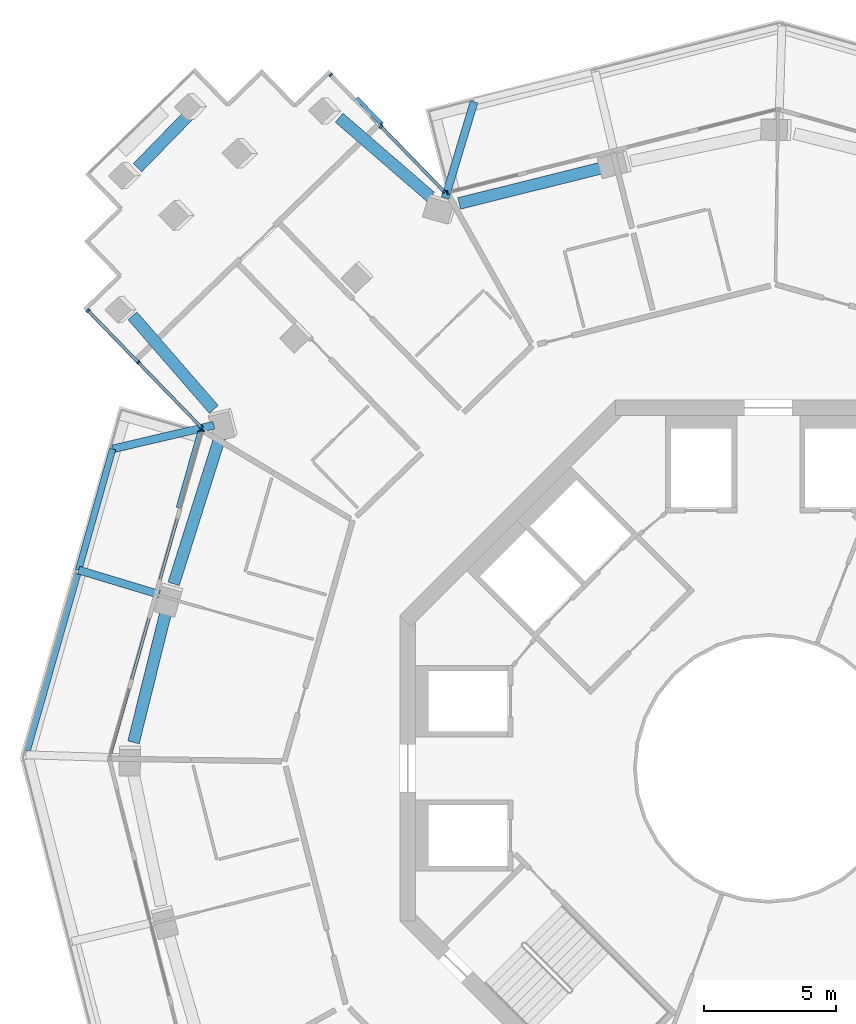
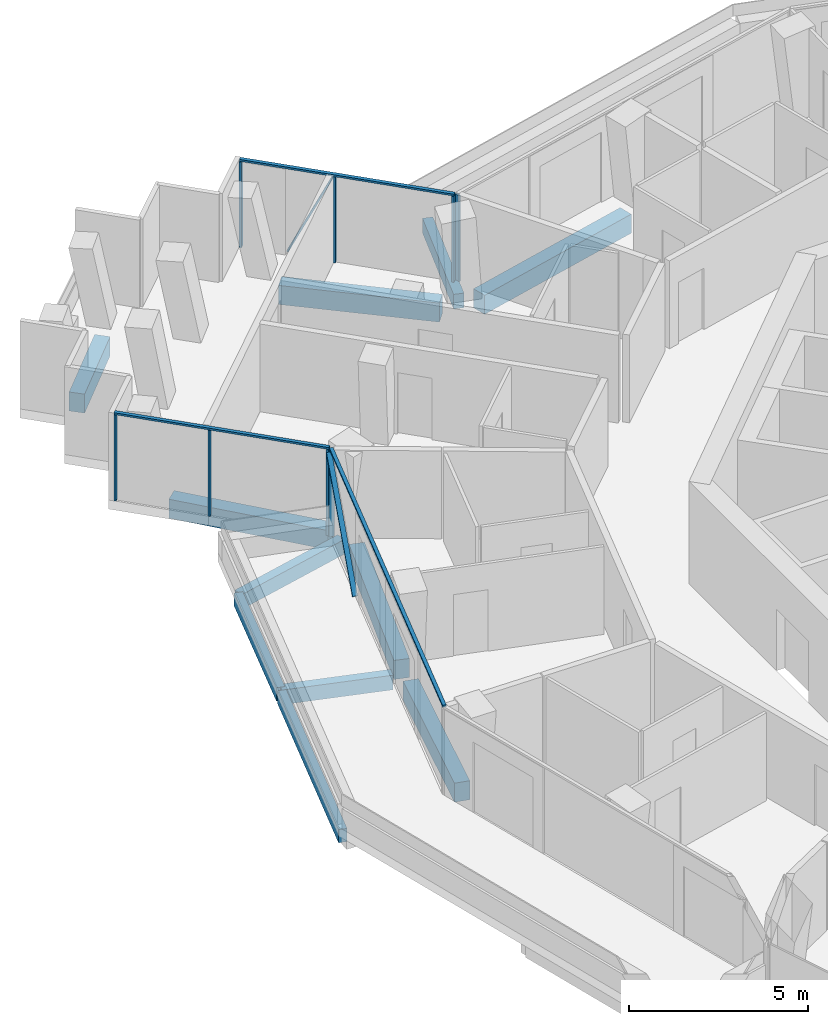
# One storey, part 7 of 24: 13 members, 11 beams, 4 elements without a shape of their own.
"""IFC4 building model written with IfcOpenShell, lengths in metres."""

from ifc_helpers import new_model, si_unit, direction, frame, origin, origin_2d, place, context, subcontext, project, spatial, rectangle, extrude, material, layer, layer_set, material_profile, profile_set, type_object, element, aggregate, save


model = new_model("IFC4")

# Units and contexts
model_context = context("Model", 3, precision=1e-05, world=origin(), true_north=direction((0.0, 1.0)))
body_context = subcontext(model_context, "Body", "Model", "MODEL_VIEW")
ifc_project = project(units=[si_unit("LENGTHUNIT", "METRE"), si_unit("AREAUNIT", "SQUARE_METRE"), si_unit("VOLUMEUNIT", "CUBIC_METRE"), si_unit("PLANEANGLEUNIT", "RADIAN"), si_unit("MASSUNIT", "GRAM", prefix="KILO")], contexts=[model_context])

# Site, building, storey
site_placement = place(None, origin())
site = spatial("IfcSite", under=ifc_project, at=site_placement, CompositionType="ELEMENT")
building_placement = place(site_placement, origin())
building = spatial("IfcBuilding", under=site, at=building_placement, Name="Verdalira Terraces Hotel", CompositionType="ELEMENT")
storey_placement = place(building_placement, frame((0.0, 0.0, 212.5)))
storey = spatial("IfcBuildingStorey", under=building, at=storey_placement, Name="L52", CompositionType="ELEMENT", Elevation=212.5)

# Beams
ifc_material_1 = material(Name="Concrete C40", Category="concrete")
ifc_material_profile_1 = material_profile(ifc_material_1, rectangle(XDim=0.300049, YDim=0.5, at=origin_2d()), Name="RC 300X500")
ifc_profile_set_1 = profile_set([ifc_material_profile_1], Name="Concrete C40")
beam_type_1 = type_object("IfcBeamType", Name="Balcony cantilever beam RC 300X500 C40", PredefinedType="BEAM", material=ifc_profile_set_1)
beam_1_placement = place(storey_placement, frame((-21.059326, 13.03418, -0.560059), z_axis=(-0.973573382, -0.228374406, 0.0), x_axis=(0.228374406, -0.973573382, 0.0)))
element("IfcBeam", 1, at=beam_1_placement, inside=storey, type_object=beam_type_1, Name="Balcony cantilever beam R11-3", PredefinedType="BEAM", context=body_context, shape_type="SweptSolid", body=[
    extrude(rectangle(XDim=0.300049, YDim=0.5, at=origin_2d()), origin(), (0.0, 0.0, 1.0), 3.950195),
])
beam_2_placement = place(storey_placement, frame((-23.133057, 6.606934, -0.560059), z_axis=(-0.957327313, 0.289005911, 0.0), x_axis=(-0.289005911, -0.957327313, 0.0)))
element("IfcBeam", 2, at=beam_2_placement, inside=storey, type_object=beam_type_1, Name="Balcony cantilever beam R11-4", PredefinedType="BEAM", context=body_context, shape_type="SweptSolid", body=[
    extrude(rectangle(XDim=0.300049, YDim=0.5, at=origin_2d()), origin(), (0.0, 0.0, 1.0), 3.200684),
])
beam_3_placement = place(storey_placement, frame((-12.278564, 21.665771, -0.560059), z_axis=(0.289024486, 0.957321705, 0.0), x_axis=(-0.957321705, 0.289024486, 0.0)))
element("IfcBeam", 3, at=beam_3_placement, inside=storey, type_object=beam_type_1, Name="Balcony cantilever beam R40-5", PredefinedType="BEAM", context=body_context, shape_type="SweptSolid", body=[
    extrude(rectangle(XDim=0.300049, YDim=0.5, at=origin_2d()), origin(), (0.0, 0.0, 1.0), 3.819824),
])
ifc_material_2 = material(Name="Concrete C40", Category="concrete")
ifc_material_profile_2 = material_profile(ifc_material_2, rectangle(XDim=0.25, YDim=0.449951, at=origin_2d()), Name="RC 250X450")
ifc_profile_set_2 = profile_set([ifc_material_profile_2], Name="Concrete C40")
beam_type_2 = type_object("IfcBeamType", Name="Balcony edge beam RC 250X450 C40", PredefinedType="BEAM", material=ifc_profile_set_2)
beam_4_placement = place(storey_placement, frame((-24.905029, 12.13208, -0.534912), z_axis=(-0.270446669, -0.962734958, 0.0), x_axis=(0.962734958, -0.270446669, 0.0)))
element("IfcBeam", 4, at=beam_4_placement, inside=storey, type_object=beam_type_2, Name="Balcony edge beam R11-2", PredefinedType="BEAM", context=body_context, shape_type="SweptSolid", body=[
    extrude(rectangle(XDim=0.25, YDim=0.449951, at=origin_2d()), origin(), (0.0, 0.0, 1.0), 4.778076),
])
beam_5_placement = place(storey_placement, frame((-26.238281, 7.387695, -0.534912), z_axis=(-0.273743082, -0.961802851, 0.0), x_axis=(0.961802851, -0.273743082, 0.0)))
element("IfcBeam", 5, at=beam_5_placement, inside=storey, type_object=beam_type_2, Name="Balcony edge beam R11-3", PredefinedType="BEAM", context=body_context, shape_type="SweptSolid", body=[
    extrude(rectangle(XDim=0.25, YDim=0.449951, at=origin_2d()), origin(), (0.0, 0.0, 1.0), 6.990479),
])

# Curtain wall, member
ifc_material_3 = material(Name="Clear glass", Category="glass")
ifc_layer_1 = layer(ifc_material_3, 0.14990234375)
ifc_layer_set_1 = layer_set([ifc_layer_1], Name="CW1 curtain wall")
curtain_wall_type_1 = type_object("IfcCurtainWallType", Name="CW1 curtain wall", PredefinedType="NOTDEFINED", material=ifc_layer_set_1)
curtain_wall_1_placement = place(storey_placement, origin())
curtain_wall_1 = element("IfcCurtainWall", 6, at=curtain_wall_1_placement, inside=storey, type_object=curtain_wall_type_1, Name="CW1 curtain wall L52 edge 11", PredefinedType="NOTDEFINED")
ifc_material_4 = material(Name="Terracotta frame", Category="masonry")
ifc_material_profile_3 = material_profile(ifc_material_4, rectangle(XDim=0.060059, YDim=0.149902, at=origin_2d()), Name="MU 60x150")
ifc_profile_set_3 = profile_set([ifc_material_profile_3], Name="Terracotta frame")
member_type_1 = type_object("IfcMemberType", Name="CW1 mullion 60x150", PredefinedType="MULLION", material=ifc_profile_set_3)
member_1_placement = place(storey_placement, frame((-21.499023, 12.825195, 0.0), z_axis=(0.0, 0.0, 1.0), x_axis=(-0.272951936, -0.962027672, 0.0)))
member_1 = element("IfcMember", 7, at=member_1_placement, type_object=member_type_1, Name="CW1 mullion", PredefinedType="MULLION", context=body_context, shape_type="SweptSolid", body=[
    extrude(rectangle(XDim=0.060059, YDim=0.149902, at=origin_2d()), origin(), (0.0, 0.0, 1.0), 2.935059),
])

curtain_wall_2_placement = place(storey_placement, origin())
curtain_wall_2 = element("IfcCurtainWall", 8, at=curtain_wall_2_placement, inside=storey, type_object=curtain_wall_type_1, Name="CW1 curtain wall L52 edge 41", PredefinedType="NOTDEFINED")
member_2_placement = place(storey_placement, frame((-12.189453, 21.865723, 0.0), z_axis=(0.0, 0.0, 1.0), x_axis=(-0.96961637, -0.244630526, 0.0)))
member_2 = element("IfcMember", 9, at=member_2_placement, type_object=member_type_1, Name="CW1 mullion", PredefinedType="MULLION", context=body_context, shape_type="SweptSolid", body=[
    extrude(rectangle(XDim=0.060059, YDim=0.149902, at=origin_2d()), origin(), (0.0, 0.0, 1.0), 2.935059),
])
aggregate(curtain_wall_2, [member_2])

# Member
ifc_material_5 = material(Name="Terracotta frame", Category="masonry")
ifc_material_profile_4 = material_profile(ifc_material_5, rectangle(XDim=0.110107, YDim=0.064941, at=origin_2d()), Name="TR 65x110")
ifc_profile_set_4 = profile_set([ifc_material_profile_4], Name="Terracotta frame")
member_type_2 = type_object("IfcMemberType", Name="CW1 transom 65x110", PredefinedType="USERDEFINED", material=ifc_profile_set_4)
member_3_placement = place(storey_placement, frame((-21.490967, 12.854004, 2.967529), z_axis=(-0.272951617, -0.962027762, 0.0), x_axis=(0.962027762, -0.272951617, 0.0)))
member_3 = element("IfcMember", 10, at=member_3_placement, type_object=member_type_2, Name="CW1 transom", ObjectType="TRANSOM", PredefinedType="USERDEFINED", context=body_context, shape_type="SweptSolid", body=[
    extrude(rectangle(XDim=0.110107, YDim=0.064941, at=origin_2d()), origin(), (0.0, 0.0, 1.0), 12.959717),
])

# Curtain wall, members
ifc_material_6 = material(Name="Clear glass", Category="glass")
ifc_layer_2 = layer(ifc_material_6, 0.14990234375)
ifc_layer_set_2 = layer_set([ifc_layer_2], Name="CW2 curtain wall")
curtain_wall_type_2 = type_object("IfcCurtainWallType", Name="CW2 curtain wall", PredefinedType="NOTDEFINED", material=ifc_layer_set_2)
curtain_wall_3_placement = place(storey_placement, origin())
curtain_wall_3 = element("IfcCurtainWall", 11, at=curtain_wall_3_placement, inside=storey, type_object=curtain_wall_type_2, Name="CW2 curtain wall L52 edge 0", PredefinedType="NOTDEFINED")
ifc_material_7 = material(Name="Terracotta frame", Category="masonry")
ifc_material_profile_5 = material_profile(ifc_material_7, rectangle(XDim=0.070068, YDim=0.149902, at=origin_2d()), Name="MU 70x150")
ifc_profile_set_5 = profile_set([ifc_material_profile_5], Name="Terracotta frame")
member_type_3 = type_object("IfcMemberType", Name="CW2 mullion 70x150", PredefinedType="MULLION", material=ifc_profile_set_5)
member_4_placement = place(storey_placement, frame((-12.314941, 21.904053, 0.0), z_axis=(0.0, 0.0, 1.0), x_axis=(-0.696664435, 0.717397146, 0.0)))
member_4 = element("IfcMember", 12, at=member_4_placement, type_object=member_type_3, Name="CW2 mullion", PredefinedType="MULLION", context=body_context, shape_type="SweptSolid", body=[
    extrude(rectangle(XDim=0.070068, YDim=0.149902, at=origin_2d()), origin(), (0.0, 0.0, 1.0), 2.935059),
])
member_5_placement = place(storey_placement, frame((-14.715576, 24.375977, 0.0), z_axis=(0.0, 0.0, 1.0), x_axis=(-0.696664435, 0.717397146, 0.0)))
member_5 = element("IfcMember", 13, at=member_5_placement, type_object=member_type_3, Name="CW2 mullion", PredefinedType="MULLION", context=body_context, shape_type="SweptSolid", body=[
    extrude(rectangle(XDim=0.070068, YDim=0.149902, at=origin_2d()), origin(), (0.0, 0.0, 1.0), 2.935059),
])
member_6_placement = place(storey_placement, frame((-16.62085, 26.338135, 0.0), z_axis=(0.0, 0.0, 1.0), x_axis=(-0.696664435, 0.717397146, 0.0)))
member_6 = element("IfcMember", 14, at=member_6_placement, type_object=member_type_3, Name="CW2 mullion", PredefinedType="MULLION", context=body_context, shape_type="SweptSolid", body=[
    extrude(rectangle(XDim=0.070068, YDim=0.149902, at=origin_2d()), origin(), (0.0, 0.0, 1.0), 2.935059),
])

curtain_wall_4_placement = place(storey_placement, origin())
curtain_wall_4 = element("IfcCurtainWall", 15, at=curtain_wall_4_placement, inside=storey, type_object=curtain_wall_type_2, Name="CW2 curtain wall L52 edge 10", PredefinedType="NOTDEFINED")
member_7_placement = place(storey_placement, frame((-25.839355, 17.385986, 0.0), z_axis=(0.0, 0.0, 1.0), x_axis=(0.696664435, -0.717397146, 0.0)))
member_7 = element("IfcMember", 16, at=member_7_placement, type_object=member_type_3, Name="CW2 mullion", PredefinedType="MULLION", context=body_context, shape_type="SweptSolid", body=[
    extrude(rectangle(XDim=0.070068, YDim=0.149902, at=origin_2d()), origin(), (0.0, 0.0, 1.0), 2.935059),
])
member_8_placement = place(storey_placement, frame((-23.934082, 15.423828, 0.0), z_axis=(0.0, 0.0, 1.0), x_axis=(0.696664435, -0.717397146, 0.0)))
member_8 = element("IfcMember", 17, at=member_8_placement, type_object=member_type_3, Name="CW2 mullion", PredefinedType="MULLION", context=body_context, shape_type="SweptSolid", body=[
    extrude(rectangle(XDim=0.070068, YDim=0.149902, at=origin_2d()), origin(), (0.0, 0.0, 1.0), 2.935059),
])
member_9_placement = place(storey_placement, frame((-21.533691, 12.951904, 0.0), z_axis=(0.0, 0.0, 1.0), x_axis=(0.696664435, -0.717397146, 0.0)))
member_9 = element("IfcMember", 18, at=member_9_placement, type_object=member_type_3, Name="CW2 mullion", PredefinedType="MULLION", context=body_context, shape_type="SweptSolid", body=[
    extrude(rectangle(XDim=0.070068, YDim=0.149902, at=origin_2d()), origin(), (0.0, 0.0, 1.0), 2.935059),
])

# Member
ifc_material_8 = material(Name="Terracotta frame", Category="masonry")
ifc_material_profile_6 = material_profile(ifc_material_8, rectangle(XDim=0.11499, YDim=0.064941, at=origin_2d()), Name="TR 65x115")
ifc_profile_set_6 = profile_set([ifc_material_profile_6], Name="Terracotta frame")
member_type_4 = type_object("IfcMemberType", Name="CW2 transom 65x115", PredefinedType="USERDEFINED", material=ifc_profile_set_6)
member_10_placement = place(storey_placement, frame((-12.290527, 21.878906, 2.967529), z_axis=(-0.696661088, 0.717400396, 0.0), x_axis=(-0.717400396, -0.696661088, 0.0)))
member_10 = element("IfcMember", 19, at=member_10_placement, type_object=member_type_4, Name="CW2 transom", ObjectType="TRANSOM", PredefinedType="USERDEFINED", context=body_context, shape_type="SweptSolid", body=[
    extrude(rectangle(XDim=0.11499, YDim=0.064941, at=origin_2d()), origin(), (0.0, 0.0, 1.0), 6.250977),
])

member_11_placement = place(storey_placement, frame((-25.86377, 17.411133, 2.967529), z_axis=(0.696640986, -0.717419917, 0.0), x_axis=(0.717419917, 0.696640986, 0.0)))
member_11 = element("IfcMember", 20, at=member_11_placement, type_object=member_type_4, Name="CW2 transom", ObjectType="TRANSOM", PredefinedType="USERDEFINED", context=body_context, shape_type="SweptSolid", body=[
    extrude(rectangle(XDim=0.11499, YDim=0.064941, at=origin_2d()), origin(), (0.0, 0.0, 1.0), 6.250732),
])

aggregate(curtain_wall_4, [member_7, member_8, member_9, member_11])

ifc_material_9 = material(Name="Terracotta frame", Category="masonry")
ifc_material_profile_7 = material_profile(ifc_material_9, rectangle(XDim=0.149902, YDim=0.060059, at=origin_2d()), Name="GB 60x150")
ifc_profile_set_7 = profile_set([ifc_material_profile_7], Name="Terracotta frame")
member_type_5 = type_object("IfcMemberType", Name="Diagonal glazing bar 60x150", PredefinedType="USERDEFINED", material=ifc_profile_set_7)
member_12_placement = place(storey_placement, frame((-14.694092, 24.484619, 2.875732), z_axis=(-0.297350601, 0.306130793, -0.90435975), x_axis=(-0.717318726, -0.69674518, 0.0)))
member_12 = element("IfcMember", 21, at=member_12_placement, type_object=member_type_5, Name="Diagonal glazing bar", ObjectType="GLAZING BAR", PredefinedType="USERDEFINED", context=body_context, shape_type="SweptSolid", body=[
    extrude(rectangle(XDim=0.149902, YDim=0.060059, at=origin_2d()), origin(), (0.0, 0.0, 1.0), 3.114258),
])

aggregate(curtain_wall_3, [member_4, member_5, member_6, member_10, member_12])

member_13_placement = place(storey_placement, frame((-21.599365, 12.797852, 2.912109), z_axis=(-0.196329106, -0.692111455, -0.694576574), x_axis=(0.962042516, -0.272899611, 0.0)))
member_13 = element("IfcMember", 22, at=member_13_placement, type_object=member_type_5, Name="Diagonal glazing bar", ObjectType="GLAZING BAR", PredefinedType="USERDEFINED", context=body_context, shape_type="SweptSolid", body=[
    extrude(rectangle(XDim=0.149902, YDim=0.060059, at=origin_2d()), origin(), (0.0, 0.0, 1.0), 4.159668),
])

aggregate(curtain_wall_1, [member_1, member_3, member_13])

# Beams
ifc_material_10 = material(Name="Concrete C50", Category="concrete")
ifc_material_profile_8 = material_profile(ifc_material_10, rectangle(XDim=0.449951, YDim=0.649902, at=origin_2d()), Name="RC 450X650")
ifc_profile_set_8 = profile_set([ifc_material_profile_8], Name="Concrete C50")
beam_type_3 = type_object("IfcBeamType", Name="Spandrel beam RC 450X650 C50", PredefinedType="SPANDREL", material=ifc_profile_set_8)
beam_6_placement = place(storey_placement, frame((-12.82959, 21.70752, -0.63501), z_axis=(-0.756106449, 0.654448652, 0.0), x_axis=(-0.654448652, -0.756106449, 0.0)))
element("IfcBeam", 23, at=beam_6_placement, inside=storey, type_object=beam_type_3, Name="Spandrel beam B01", PredefinedType="SPANDREL", context=body_context, shape_type="SweptSolid", body=[
    extrude(rectangle(XDim=0.449951, YDim=0.649902, at=origin_2d()), origin(), (0.0, 0.0, 1.0), 4.591797),
])
beam_7_placement = place(storey_placement, frame((-21.935547, 24.891846, -0.63501), z_axis=(-0.698131409, -0.715969647, 0.0), x_axis=(0.715969647, -0.698131409, 0.0)))
element("IfcBeam", 24, at=beam_7_placement, inside=storey, type_object=beam_type_3, Name="Spandrel beam B02", PredefinedType="SPANDREL", context=body_context, shape_type="SweptSolid", body=[
    extrude(rectangle(XDim=0.449951, YDim=0.649902, at=origin_2d()), origin(), (0.0, 0.0, 1.0), 2.901611),
])
beam_8_placement = place(storey_placement, frame((-24.152588, 17.190186, -0.63501), z_axis=(0.65579389, -0.75493998, 0.0), x_axis=(0.75493998, 0.65579389, 0.0)))
element("IfcBeam", 25, at=beam_8_placement, inside=storey, type_object=beam_type_3, Name="Spandrel beam B03", PredefinedType="SPANDREL", context=body_context, shape_type="SweptSolid", body=[
    extrude(rectangle(XDim=0.449951, YDim=0.649902, at=origin_2d()), origin(), (0.0, 0.0, 1.0), 4.713135),
])
beam_9_placement = place(storey_placement, frame((-20.840088, 12.55249, -0.63501), z_axis=(-0.300650965, -0.953734238, 0.0), x_axis=(0.953734238, -0.300650965, 0.0)))
element("IfcBeam", 26, at=beam_9_placement, inside=storey, type_object=beam_type_3, Name="Spandrel beam B04", PredefinedType="SPANDREL", context=body_context, shape_type="SweptSolid", body=[
    extrude(rectangle(XDim=0.449951, YDim=0.649902, at=origin_2d()), origin(), (0.0, 0.0, 1.0), 5.813477),
])
beam_10_placement = place(storey_placement, frame((-22.864746, 6.022461, -0.63501), z_axis=(-0.240498283, -0.970649564, 0.0), x_axis=(0.970649564, -0.240498283, 0.0)))
element("IfcBeam", 27, at=beam_10_placement, inside=storey, type_object=beam_type_3, Name="Spandrel beam B05", PredefinedType="SPANDREL", context=body_context, shape_type="SweptSolid", body=[
    extrude(rectangle(XDim=0.449951, YDim=0.649902, at=origin_2d()), origin(), (0.0, 0.0, 1.0), 5.189453),
])
beam_11_placement = place(storey_placement, frame((-6.208008, 22.834473, -0.63501), z_axis=(-0.970348502, -0.241710124, 0.0), x_axis=(0.241710124, -0.970348502, 0.0)))
element("IfcBeam", 28, at=beam_11_placement, inside=storey, type_object=beam_type_3, Name="Spandrel beam B23", PredefinedType="SPANDREL", context=body_context, shape_type="SweptSolid", body=[
    extrude(rectangle(XDim=0.449951, YDim=0.649902, at=origin_2d()), origin(), (0.0, 0.0, 1.0), 5.706787),
])

save(model, "model.ifc")
